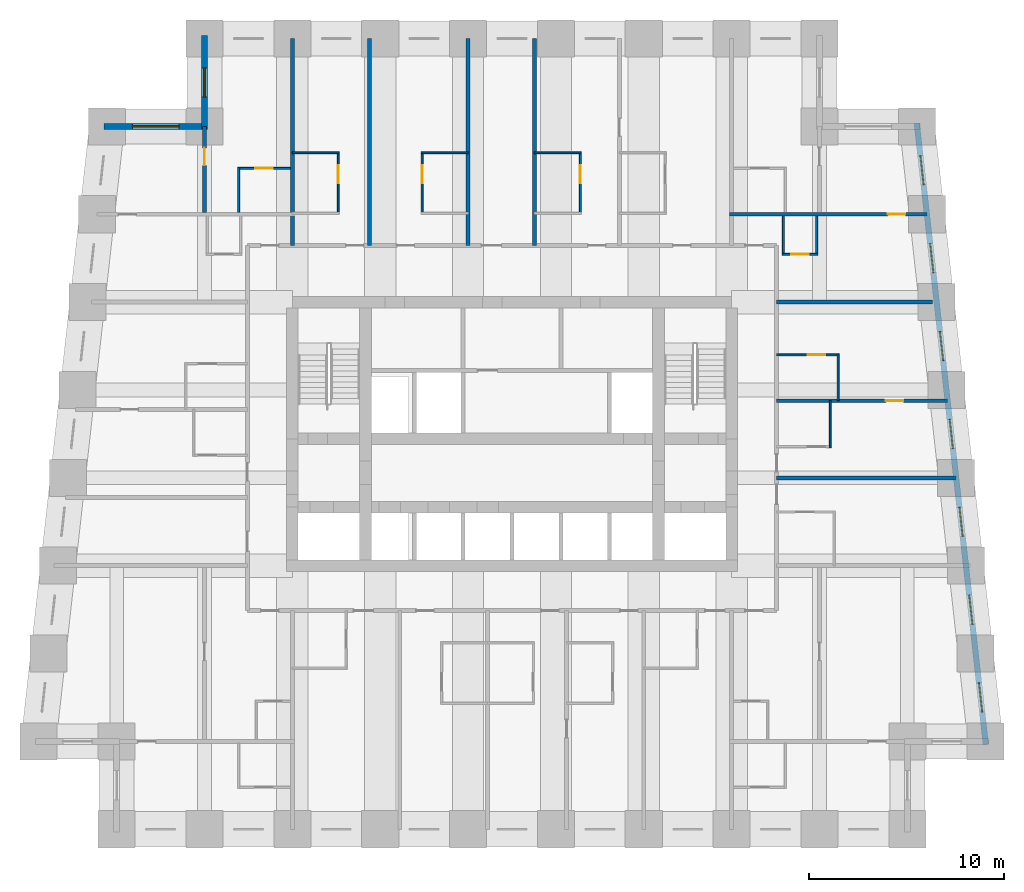
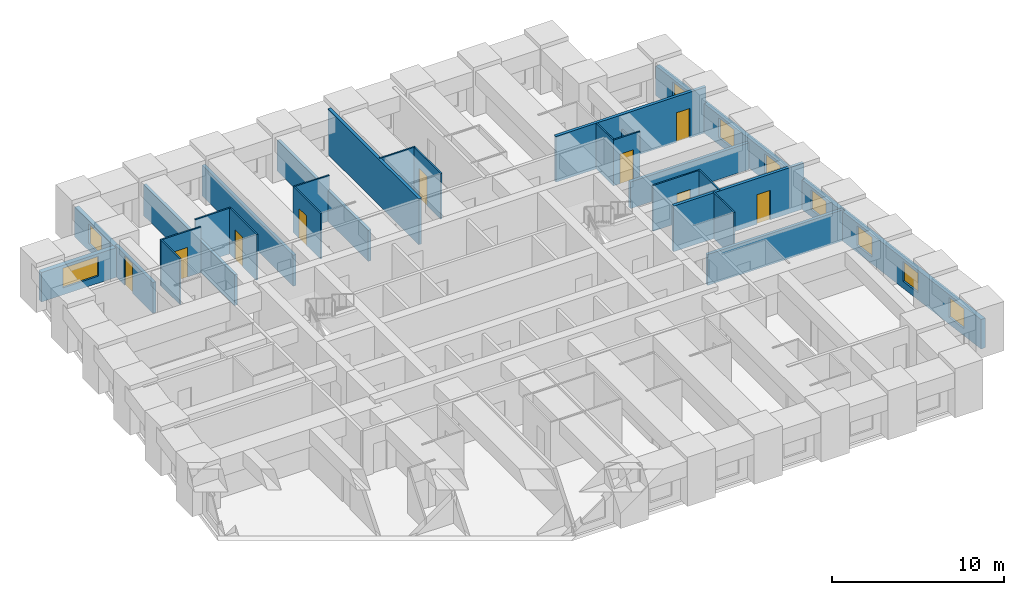
# One storey, part 6 of 8: 26 walls, 9 doors, 9 windows, 18 openings.
"""IFC4 building model written with IfcOpenShell, lengths in metres."""

from ifc_helpers import new_model, si_unit, direction, frame, frame_2d, origin, place, context, subcontext, project, spatial, rectangle, extrude, material, layer, layer_set, type_object, element, fill, save


model = new_model("IFC4")

# Units and contexts
model_context = context("Model", 3, precision=1e-05, world=origin(), true_north=direction((0.0, 1.0)))
body_context = subcontext(model_context, "Body", "Model", "MODEL_VIEW")
ifc_project = project(units=[si_unit("LENGTHUNIT", "METRE"), si_unit("AREAUNIT", "SQUARE_METRE"), si_unit("VOLUMEUNIT", "CUBIC_METRE"), si_unit("PLANEANGLEUNIT", "RADIAN"), si_unit("MASSUNIT", "GRAM", prefix="KILO")], contexts=[model_context])

# Site, building, storey
site_placement = place(None, origin())
site = spatial("IfcSite", under=ifc_project, at=site_placement, CompositionType="ELEMENT")
building_placement = place(site_placement, origin())
building = spatial("IfcBuilding", under=site, at=building_placement, Name="Kilele Tower Hotel", CompositionType="ELEMENT")
storey_placement = place(building_placement, frame((0.0, 0.0, 82.199951171875)))
storey = spatial("IfcBuildingStorey", under=building, at=storey_placement, Name="L20", CompositionType="ELEMENT", Elevation=82.199951171875)

# Walls
ifc_material_1 = material(Name="Moisture-resistant board")
ifc_layer_1 = layer(ifc_material_1, 0.10009765625)
ifc_layer_set_1 = layer_set([ifc_layer_1], Name="Moisture-resistant board")
wall_type_1 = type_object("IfcWallType", Name="Bathroom partition 100", PredefinedType="PLUMBINGWALL", material=ifc_layer_set_1)
wall_1_placement = place(storey_placement, frame((41.050048828125, 19.550048828125, 0.0), z_axis=(0.0, 0.0, 1.0), x_axis=(0.0, 1.0, 0.0)))
element("IfcWall", 1, at=wall_1_placement, inside=storey, type_object=wall_type_1, Name="Bathroom partition 100 L20", PredefinedType="PLUMBINGWALL", context=body_context, shape_type="SweptSolid", body=[
    extrude(rectangle(XDim=2.39990234375, YDim=0.10009765625, at=frame_2d((1.199951171875, 0.0))), origin(), (0.0, 0.0, 1.0), 3.25),
])
wall_2_placement = place(storey_placement, frame((41.449951171875, 21.949951171875, 0.0), z_axis=(0.0, 0.0, 1.0), x_axis=(0.0, 1.0, 0.0)))
element("IfcWall", 2, at=wall_2_placement, inside=storey, type_object=wall_type_1, Name="Bathroom partition 100 L20", PredefinedType="PLUMBINGWALL", context=body_context, shape_type="SweptSolid", body=[
    extrude(rectangle(XDim=2.400146484375, YDim=0.10009765625, at=frame_2d((1.2001953125, 0.0))), origin(), (0.0, 0.0, 1.0), 3.25),
])

# Wall, opening, door
wall_3_placement = place(storey_placement, frame((38.300048828125, 24.300048828125, 0.0), z_axis=(0.0, 0.0, 1.0), x_axis=(1.0, 0.0, 0.0)))
wall_3 = element("IfcWall", 3, at=wall_3_placement, inside=storey, type_object=wall_type_1, Name="Bathroom partition 100 L20", PredefinedType="PLUMBINGWALL", context=body_context, shape_type="SweptSolid", body=[
    extrude(rectangle(XDim=3.199951171875, YDim=0.10009765625, at=frame_2d((1.60009765625, 0.0))), origin(), (0.0, 0.0, 1.0), 3.25),
])
opening_1_placement = place(wall_3_placement, frame((1.60009765625, 0.0, 0.0)))
opening_1 = element("IfcOpeningElement", 4, at=opening_1_placement, cuts=wall_3, Name="Opening D2A", PredefinedType="OPENING", context=body_context, shape_type="SweptSolid", body=[
    extrude(rectangle(XDim=0.89990234375, YDim=2.10009765625, at=frame_2d((0.449951171875, 1.050048828125))), frame((0.0, 0.06005859375, 0.0), z_axis=(0.0, -1.0, 0.0), x_axis=(1.0, 0.0, 0.0)), (0.0, 0.0, 1.0), 0.1201171875),
])
ifc_material_2 = material(Name="Timber door leaf in hardwood frame", Category="wood")
door_type_1 = type_object("IfcDoorType", Name="Bathroom door 900", OperationType="SINGLE_SWING_LEFT", PredefinedType="DOOR", material=ifc_material_2)
door_1_placement = place(opening_1_placement, origin())
door_1 = element("IfcDoor", 5, at=door_1_placement, inside=storey, type_object=door_type_1, Name="Bathroom door 2008B", OperationType="SINGLE_SWING_LEFT", OverallHeight=2.10009765625, OverallWidth=0.89990234375, PredefinedType="DOOR", context=body_context, shape_type="SweptSolid", body=[
    extrude(rectangle(XDim=0.89990234375, YDim=2.10009765625, at=frame_2d((0.449951171875, 1.050048828125))), frame((0.0, 0.02490234375, 0.0), z_axis=(0.0, -1.0, 0.0), x_axis=(1.0, 0.0, 0.0)), (0.0, 0.0, 1.0), 0.050048828125),
])
fill(opening_1, door_1)

# Wall
wall_4_placement = place(storey_placement, frame((13.5, 34.64990234375, 0.0), z_axis=(0.0, 0.0, 1.0), x_axis=(1.0, 0.0, 0.0)))
element("IfcWall", 6, at=wall_4_placement, inside=storey, type_object=wall_type_1, Name="Bathroom partition 100 L20", PredefinedType="PLUMBINGWALL", context=body_context, shape_type="SweptSolid", body=[
    extrude(rectangle(XDim=2.39990234375, YDim=0.10009765625, at=frame_2d((1.199951171875, 0.0))), origin(), (0.0, 0.0, 1.0), 3.25),
])

# Wall, opening, door
wall_5_placement = place(storey_placement, frame((15.85009765625, 31.5, 0.0), z_axis=(0.0, 0.0, 1.0), x_axis=(0.0, 1.0, 0.0)))
wall_5 = element("IfcWall", 7, at=wall_5_placement, inside=storey, type_object=wall_type_1, Name="Bathroom partition 100 L20", PredefinedType="PLUMBINGWALL", context=body_context, shape_type="SweptSolid", body=[
    extrude(rectangle(XDim=3.199951171875, YDim=0.10009765625, at=frame_2d((1.60009765625, 0.0))), origin(), (0.0, 0.0, 1.0), 3.25),
])
opening_2_placement = place(wall_5_placement, frame((2.5, 0.0, 0.0), z_axis=(0.0, 0.0, 1.0), x_axis=(-1.0, 0.0, 0.0)))
opening_2 = element("IfcOpeningElement", 8, at=opening_2_placement, cuts=wall_5, Name="Opening D2A", PredefinedType="OPENING", context=body_context, shape_type="SweptSolid", body=[
    extrude(rectangle(XDim=0.89990234375, YDim=2.10009765625, at=frame_2d((0.449951171875, 1.050048828125))), frame((0.0, 0.06005859375, 0.0), z_axis=(0.0, -1.0, 0.0), x_axis=(1.0, 0.0, 0.0)), (0.0, 0.0, 1.0), 0.1201171875),
])
door_2_placement = place(opening_2_placement, origin())
door_2 = element("IfcDoor", 9, at=door_2_placement, inside=storey, type_object=door_type_1, Name="Bathroom door 2009B", OperationType="SINGLE_SWING_LEFT", OverallHeight=2.10009765625, OverallWidth=0.89990234375, PredefinedType="DOOR", context=body_context, shape_type="SweptSolid", body=[
    extrude(rectangle(XDim=0.89990234375, YDim=2.10009765625, at=frame_2d((0.449951171875, 1.050048828125))), frame((0.0, 0.02490234375, 0.0), z_axis=(0.0, -1.0, 0.0), x_axis=(1.0, 0.0, 0.0)), (0.0, 0.0, 1.0), 0.050048828125),
])
fill(opening_2, door_2)

# Wall
wall_6_placement = place(storey_placement, frame((20.10009765625, 34.64990234375, 0.0), z_axis=(0.0, 0.0, 1.0), x_axis=(1.0, 0.0, 0.0)))
element("IfcWall", 10, at=wall_6_placement, inside=storey, type_object=wall_type_1, Name="Bathroom partition 100 L20", PredefinedType="PLUMBINGWALL", context=body_context, shape_type="SweptSolid", body=[
    extrude(rectangle(XDim=2.39990234375, YDim=0.10009765625, at=frame_2d((1.199951171875, 0.0))), origin(), (0.0, 0.0, 1.0), 3.25),
])

# Wall, opening, door
wall_7_placement = place(storey_placement, frame((20.14990234375, 31.5, 0.0), z_axis=(0.0, 0.0, 1.0), x_axis=(0.0, 1.0, 0.0)))
wall_7 = element("IfcWall", 11, at=wall_7_placement, inside=storey, type_object=wall_type_1, Name="Bathroom partition 100 L20", PredefinedType="PLUMBINGWALL", context=body_context, shape_type="SweptSolid", body=[
    extrude(rectangle(XDim=3.199951171875, YDim=0.10009765625, at=frame_2d((1.60009765625, 0.0))), origin(), (0.0, 0.0, 1.0), 3.25),
])
opening_3_placement = place(wall_7_placement, frame((1.60009765625, 0.0, 0.0)))
opening_3 = element("IfcOpeningElement", 12, at=opening_3_placement, cuts=wall_7, Name="Opening D2A", PredefinedType="OPENING", context=body_context, shape_type="SweptSolid", body=[
    extrude(rectangle(XDim=0.89990234375, YDim=2.10009765625, at=frame_2d((0.449951171875, 1.050048828125))), frame((0.0, 0.06005859375, 0.0), z_axis=(0.0, -1.0, 0.0), x_axis=(1.0, 0.0, 0.0)), (0.0, 0.0, 1.0), 0.1201171875),
])
door_3_placement = place(opening_3_placement, origin())
door_3 = element("IfcDoor", 13, at=door_3_placement, inside=storey, type_object=door_type_1, Name="Bathroom door 2010B", OperationType="SINGLE_SWING_RIGHT", OverallHeight=2.10009765625, OverallWidth=0.89990234375, PredefinedType="DOOR", context=body_context, shape_type="SweptSolid", body=[
    extrude(rectangle(XDim=0.89990234375, YDim=2.10009765625, at=frame_2d((0.449951171875, 1.050048828125))), frame((0.0, 0.02490234375, 0.0), z_axis=(0.0, -1.0, 0.0), x_axis=(1.0, 0.0, 0.0)), (0.0, 0.0, 1.0), 0.050048828125),
])
fill(opening_3, door_3)

# Wall
wall_8_placement = place(storey_placement, frame((25.89990234375, 34.64990234375, 0.0), z_axis=(0.0, 0.0, 1.0), x_axis=(1.0, 0.0, 0.0)))
element("IfcWall", 14, at=wall_8_placement, inside=storey, type_object=wall_type_1, Name="Bathroom partition 100 L20", PredefinedType="PLUMBINGWALL", context=body_context, shape_type="SweptSolid", body=[
    extrude(rectangle(XDim=2.400146484375, YDim=0.10009765625, at=frame_2d((1.2001953125, 0.0))), origin(), (0.0, 0.0, 1.0), 3.25),
])

# Wall, opening, door
wall_9_placement = place(storey_placement, frame((28.25, 31.5, 0.0), z_axis=(0.0, 0.0, 1.0), x_axis=(0.0, 1.0, 0.0)))
wall_9 = element("IfcWall", 15, at=wall_9_placement, inside=storey, type_object=wall_type_1, Name="Bathroom partition 100 L20", PredefinedType="PLUMBINGWALL", context=body_context, shape_type="SweptSolid", body=[
    extrude(rectangle(XDim=3.199951171875, YDim=0.10009765625, at=frame_2d((1.60009765625, 0.0))), origin(), (0.0, 0.0, 1.0), 3.25),
])
opening_4_placement = place(wall_9_placement, frame((2.5, 0.0, 0.0), z_axis=(0.0, 0.0, 1.0), x_axis=(-1.0, 0.0, 0.0)))
opening_4 = element("IfcOpeningElement", 16, at=opening_4_placement, cuts=wall_9, Name="Opening D2A", PredefinedType="OPENING", context=body_context, shape_type="SweptSolid", body=[
    extrude(rectangle(XDim=0.89990234375, YDim=2.10009765625, at=frame_2d((0.449951171875, 1.050048828125))), frame((0.0, 0.06005859375, 0.0), z_axis=(0.0, -1.0, 0.0), x_axis=(1.0, 0.0, 0.0)), (0.0, 0.0, 1.0), 0.1201171875),
])
door_4_placement = place(opening_4_placement, origin())
door_4 = element("IfcDoor", 17, at=door_4_placement, inside=storey, type_object=door_type_1, Name="Bathroom door 2012B", OperationType="SINGLE_SWING_LEFT", OverallHeight=2.10009765625, OverallWidth=0.89990234375, PredefinedType="DOOR", context=body_context, shape_type="SweptSolid", body=[
    extrude(rectangle(XDim=0.89990234375, YDim=2.10009765625, at=frame_2d((0.449951171875, 1.050048828125))), frame((0.0, 0.02490234375, 0.0), z_axis=(0.0, -1.0, 0.0), x_axis=(1.0, 0.0, 0.0)), (0.0, 0.0, 1.0), 0.050048828125),
])
fill(opening_4, door_4)

# Walls
wall_10_placement = place(storey_placement, frame((40.35009765625, 31.39990234375, 0.0), z_axis=(0.0, 0.0, 1.0), x_axis=(0.0, -1.0, 0.0)))
element("IfcWall", 18, at=wall_10_placement, inside=storey, type_object=wall_type_1, Name="Bathroom partition 100 L20", PredefinedType="PLUMBINGWALL", context=body_context, shape_type="SweptSolid", body=[
    extrude(rectangle(XDim=2.0, YDim=0.10009765625, at=frame_2d((1.0, 0.0))), origin(), (0.0, 0.0, 1.0), 2.199951171875),
])
wall_11_placement = place(storey_placement, frame((38.64990234375, 31.39990234375, 0.0), z_axis=(0.0, 0.0, 1.0), x_axis=(0.0, -1.0, 0.0)))
element("IfcWall", 19, at=wall_11_placement, inside=storey, type_object=wall_type_1, Name="Bathroom partition 100 L20", PredefinedType="PLUMBINGWALL", context=body_context, shape_type="SweptSolid", body=[
    extrude(rectangle(XDim=2.0, YDim=0.10009765625, at=frame_2d((1.0, 0.0))), origin(), (0.0, 0.0, 1.0), 3.25),
])

# Wall, opening, door
wall_12_placement = place(storey_placement, frame((38.60009765625, 29.449951171875, 0.0), z_axis=(0.0, 0.0, 1.0), x_axis=(1.0, 0.0, 0.0)))
wall_12 = element("IfcWall", 20, at=wall_12_placement, inside=storey, type_object=wall_type_1, Name="Bathroom partition 100 L20", PredefinedType="PLUMBINGWALL", context=body_context, shape_type="SweptSolid", body=[
    extrude(rectangle(XDim=1.7998046875, YDim=0.10009765625, at=frame_2d((0.89990234375, 0.0))), origin(), (0.0, 0.0, 1.0), 3.25),
])
opening_5_placement = place(wall_12_placement, frame((1.349853515625, 0.0, 0.0), z_axis=(0.0, 0.0, 1.0), x_axis=(-1.0, 0.0, 0.0)))
opening_5 = element("IfcOpeningElement", 21, at=opening_5_placement, cuts=wall_12, Name="Opening D2A", PredefinedType="OPENING", context=body_context, shape_type="SweptSolid", body=[
    extrude(rectangle(XDim=0.89990234375, YDim=2.10009765625, at=frame_2d((0.449951171875, 1.050048828125))), frame((0.0, 0.06005859375, 0.0), z_axis=(0.0, -1.0, 0.0), x_axis=(1.0, 0.0, 0.0)), (0.0, 0.0, 1.0), 0.1201171875),
])
door_5_placement = place(opening_5_placement, origin())
door_5 = element("IfcDoor", 22, at=door_5_placement, inside=storey, type_object=door_type_1, Name="Bathroom door 2023P", OperationType="SINGLE_SWING_RIGHT", OverallHeight=2.10009765625, OverallWidth=0.89990234375, PredefinedType="DOOR", context=body_context, shape_type="SweptSolid", body=[
    extrude(rectangle(XDim=0.89990234375, YDim=2.10009765625, at=frame_2d((0.449951171875, 1.050048828125))), frame((0.0, 0.02490234375, 0.0), z_axis=(0.0, -1.0, 0.0), x_axis=(1.0, 0.0, 0.0)), (0.0, 0.0, 1.0), 0.050048828125),
])
fill(opening_5, door_5)

# Wall
wall_13_placement = place(storey_placement, frame((10.75, 31.60009765625, 0.0), z_axis=(0.0, 0.0, 1.0), x_axis=(0.0, 1.0, 0.0)))
element("IfcWall", 23, at=wall_13_placement, inside=storey, type_object=wall_type_1, Name="Bathroom partition 100 L20", PredefinedType="PLUMBINGWALL", context=body_context, shape_type="SweptSolid", body=[
    extrude(rectangle(XDim=2.2998046875, YDim=0.10009765625, at=frame_2d((1.14990234375, 0.0))), origin(), (0.0, 0.0, 1.0), 3.25),
])

# Wall, opening, door
wall_14_placement = place(storey_placement, frame((13.39990234375, 33.85009765625, 0.0), z_axis=(0.0, 0.0, 1.0), x_axis=(-1.0, 0.0, 0.0)))
wall_14 = element("IfcWall", 24, at=wall_14_placement, inside=storey, type_object=wall_type_1, Name="Bathroom partition 100 L20", PredefinedType="PLUMBINGWALL", context=body_context, shape_type="SweptSolid", body=[
    extrude(rectangle(XDim=2.699951171875, YDim=0.10009765625, at=frame_2d((1.35009765625, 0.0))), origin(), (0.0, 0.0, 1.0), 3.25),
])
opening_6_placement = place(wall_14_placement, frame((1.7998046875, 0.0, 0.0), z_axis=(0.0, 0.0, 1.0), x_axis=(-1.0, 0.0, 0.0)))
opening_6 = element("IfcOpeningElement", 25, at=opening_6_placement, cuts=wall_14, Name="Opening D2A", PredefinedType="OPENING", context=body_context, shape_type="SweptSolid", body=[
    extrude(rectangle(XDim=0.89990234375, YDim=2.10009765625, at=frame_2d((0.449951171875, 1.050048828125))), frame((0.0, 0.06005859375, 0.0), z_axis=(0.0, -1.0, 0.0), x_axis=(1.0, 0.0, 0.0)), (0.0, 0.0, 1.0), 0.1201171875),
])
door_6_placement = place(opening_6_placement, origin())
door_6 = element("IfcDoor", 26, at=door_6_placement, inside=storey, type_object=door_type_1, Name="Bathroom door 2027B", OperationType="SINGLE_SWING_RIGHT", OverallHeight=2.10009765625, OverallWidth=0.89990234375, PredefinedType="DOOR", context=body_context, shape_type="SweptSolid", body=[
    extrude(rectangle(XDim=0.89990234375, YDim=2.10009765625, at=frame_2d((0.449951171875, 1.050048828125))), frame((0.0, 0.02490234375, 0.0), z_axis=(0.0, -1.0, 0.0), x_axis=(1.0, 0.0, 0.0)), (0.0, 0.0, 1.0), 0.050048828125),
])
fill(opening_6, door_6)

ifc_material_3 = material(Name="Blockwork, plastered both sides", Category="masonry")
ifc_layer_2 = layer(ifc_material_3, 0.199951171875)
ifc_layer_set_2 = layer_set([ifc_layer_2], Name="Blockwork, plastered both sides")
wall_type_2 = type_object("IfcWallType", Name="Partition wall 200", PredefinedType="PARTITIONING", material=ifc_layer_set_2)
wall_15_placement = place(storey_placement, frame((9.0, 31.60009765625, 0.0), z_axis=(0.0, 0.0, 1.0), x_axis=(0.0, 1.0, 0.0)))
wall_15 = element("IfcWall", 27, at=wall_15_placement, inside=storey, type_object=wall_type_2, Name="Partition wall 200 L20", PredefinedType="PARTITIONING", context=body_context, shape_type="SweptSolid", body=[
    extrude(rectangle(XDim=4.39990234375, YDim=0.199951171875, at=frame_2d((2.199951171875, 0.0))), origin(), (0.0, 0.0, 1.0), 2.199951171875),
])
opening_7_placement = place(wall_15_placement, frame((2.39990234375, 0.0, 0.0)))
opening_7 = element("IfcOpeningElement", 28, at=opening_7_placement, cuts=wall_15, Name="Opening D3", PredefinedType="OPENING", context=body_context, shape_type="SweptSolid", body=[
    extrude(rectangle(XDim=0.89990234375, YDim=2.10009765625, at=frame_2d((0.449951171875, 1.050048828125))), frame((0.0, 0.10986328125, 0.0), z_axis=(0.0, -1.0, 0.0), x_axis=(1.0, 0.0, 0.0)), (0.0, 0.0, 1.0), 0.219970703125),
])
ifc_material_4 = material(Name="Timber door leaf in hardwood frame", Category="wood")
door_type_2 = type_object("IfcDoorType", Name="Suite internal door 900", OperationType="SINGLE_SWING_LEFT", PredefinedType="DOOR", material=ifc_material_4)
door_7_placement = place(opening_7_placement, origin())
door_7 = element("IfcDoor", 29, at=door_7_placement, inside=storey, type_object=door_type_2, Name="Suite door 2028", OperationType="SINGLE_SWING_RIGHT", OverallHeight=2.10009765625, OverallWidth=0.89990234375, PredefinedType="DOOR", context=body_context, shape_type="SweptSolid", body=[
    extrude(rectangle(XDim=0.89990234375, YDim=2.10009765625, at=frame_2d((0.449951171875, 1.050048828125))), frame((0.0, 0.02490234375, 0.0), z_axis=(0.0, -1.0, 0.0), x_axis=(1.0, 0.0, 0.0)), (0.0, 0.0, 1.0), 0.050048828125),
])
fill(opening_7, door_7)

# Wall
ifc_material_5 = material(Name="Blockwork, plastered both sides", Category="masonry")
ifc_layer_3 = layer(ifc_material_5, 0.199951171875)
ifc_layer_set_3 = layer_set([ifc_layer_3], Name="Blockwork, plastered both sides")
wall_type_3 = type_object("IfcWallType", Name="Party wall 200", PredefinedType="PARTITIONING", material=ifc_layer_set_3)
wall_16_placement = place(storey_placement, frame((38.300048828125, 18.0, 0.0), z_axis=(0.0, 0.0, 1.0), x_axis=(1.0, 0.0, 0.0)))
element("IfcWall", 30, at=wall_16_placement, inside=storey, type_object=wall_type_3, Name="Party wall 200 L20", PredefinedType="PARTITIONING", context=body_context, shape_type="SweptSolid", body=[
    extrude(rectangle(XDim=9.198974609375, YDim=0.199951171875, at=frame_2d((4.599609375, 0.0))), origin(), (0.0, 0.0, 1.0), 2.199951171875),
])

# Wall, opening, door
wall_17_placement = place(storey_placement, frame((38.300048828125, 21.949951171875, 0.0), z_axis=(0.0, 0.0, 1.0), x_axis=(1.0, 0.0, 0.0)))
wall_17 = element("IfcWall", 31, at=wall_17_placement, inside=storey, type_object=wall_type_3, Name="Party wall 200 L20", PredefinedType="PARTITIONING", context=body_context, shape_type="SweptSolid", body=[
    extrude(rectangle(XDim=8.76025390625, YDim=0.199951171875, at=frame_2d((4.380126953125, 0.0))), origin(), (0.0, 0.0, 1.0), 3.25),
])
opening_8_placement = place(wall_17_placement, frame((5.60009765625, 0.0, 0.0)))
opening_8 = element("IfcOpeningElement", 32, at=opening_8_placement, cuts=wall_17, Name="Opening D3", PredefinedType="OPENING", context=body_context, shape_type="SweptSolid", body=[
    extrude(rectangle(XDim=0.89990234375, YDim=2.10009765625, at=frame_2d((0.449951171875, 1.050048828125))), frame((0.0, 0.10986328125, 0.0), z_axis=(0.0, -1.0, 0.0), x_axis=(1.0, 0.0, 0.0)), (0.0, 0.0, 1.0), 0.219970703125),
])
door_8_placement = place(opening_8_placement, origin())
door_8 = element("IfcDoor", 33, at=door_8_placement, inside=storey, type_object=door_type_2, Name="Suite door 2008", OperationType="SINGLE_SWING_RIGHT", OverallHeight=2.10009765625, OverallWidth=0.89990234375, PredefinedType="DOOR", context=body_context, shape_type="SweptSolid", body=[
    extrude(rectangle(XDim=0.89990234375, YDim=2.10009765625, at=frame_2d((0.449951171875, 1.050048828125))), frame((0.0, 0.02490234375, 0.0), z_axis=(0.0, -1.0, 0.0), x_axis=(1.0, 0.0, 0.0)), (0.0, 0.0, 1.0), 0.050048828125),
])
fill(opening_8, door_8)

# Walls
for number, where, z_axis, x_axis, name in (
    (34, (17.449951171875, 29.89990234375, 0.0), (0.0, 0.0, 1.0), (0.0, 1.0, 0.0), "Party wall 200 L20"),
    (35, (22.5, 29.89990234375, 0.0), (0.0, 0.0, 1.0), (0.0, 1.0, 0.0), "Party wall 200 L20"),
):
    element("IfcWall", number, at=place(storey_placement, frame(where, z_axis=z_axis, x_axis=x_axis)), inside=storey, type_object=wall_type_3, Name=name, PredefinedType="PARTITIONING", context=body_context, shape_type="SweptSolid", body=[
        extrude(rectangle(XDim=10.60009765625, YDim=0.199951171875, at=frame_2d((5.300048828125, 0.0))), origin(), (0.0, 0.0, 1.0), 2.199951171875),
    ])
wall_18_placement = place(storey_placement, frame((25.89990234375, 29.89990234375, 0.0), z_axis=(0.0, 0.0, 1.0), x_axis=(0.0, 1.0, 0.0)))
element("IfcWall", 36, at=wall_18_placement, inside=storey, type_object=wall_type_3, Name="Party wall 200 L20", PredefinedType="PARTITIONING", context=body_context, shape_type="SweptSolid", body=[
    extrude(rectangle(XDim=10.60009765625, YDim=0.199951171875, at=frame_2d((5.300048828125, 0.0))), origin(), (0.0, 0.0, 1.0), 3.25),
])
wall_19_placement = place(storey_placement, frame((38.300048828125, 27.0, 0.0), z_axis=(0.0, 0.0, 1.0), x_axis=(1.0, 0.0, 0.0)))
element("IfcWall", 37, at=wall_19_placement, inside=storey, type_object=wall_type_3, Name="Party wall 200 L20", PredefinedType="PARTITIONING", context=body_context, shape_type="SweptSolid", body=[
    extrude(rectangle(XDim=7.976806640625, YDim=0.199951171875, at=frame_2d((3.98828125, 0.0))), origin(), (0.0, 0.0, 1.0), 1.900146484375),
])

# Wall, opening, door
wall_20_placement = place(storey_placement, frame((35.89990234375, 31.5, 0.0), z_axis=(0.0, 0.0, 1.0), x_axis=(1.0, 0.0, 0.0)))
wall_20 = element("IfcWall", 38, at=wall_20_placement, inside=storey, type_object=wall_type_3, Name="Party wall 200 L20", PredefinedType="PARTITIONING", context=body_context, shape_type="SweptSolid", body=[
    extrude(rectangle(XDim=10.09912109375, YDim=0.199951171875, at=frame_2d((5.049560546875, 0.0))), origin(), (0.0, 0.0, 1.0), 3.25),
])
opening_9_placement = place(wall_20_placement, frame((8.09912109375, 0.0, 0.0)))
opening_9 = element("IfcOpeningElement", 39, at=opening_9_placement, cuts=wall_20, Name="Opening D3", PredefinedType="OPENING", context=body_context, shape_type="SweptSolid", body=[
    extrude(rectangle(XDim=0.89990234375, YDim=2.10009765625, at=frame_2d((0.449951171875, 1.050048828125))), frame((0.0, 0.10986328125, 0.0), z_axis=(0.0, -1.0, 0.0), x_axis=(1.0, 0.0, 0.0)), (0.0, 0.0, 1.0), 0.219970703125),
])
door_9_placement = place(opening_9_placement, origin())
door_9 = element("IfcDoor", 40, at=door_9_placement, inside=storey, type_object=door_type_2, Name="Suite door 2024", OperationType="SINGLE_SWING_RIGHT", OverallHeight=2.10009765625, OverallWidth=0.89990234375, PredefinedType="DOOR", context=body_context, shape_type="SweptSolid", body=[
    extrude(rectangle(XDim=0.89990234375, YDim=2.10009765625, at=frame_2d((0.449951171875, 1.050048828125))), frame((0.0, 0.02490234375, 0.0), z_axis=(0.0, -1.0, 0.0), x_axis=(1.0, 0.0, 0.0)), (0.0, 0.0, 1.0), 0.050048828125),
])
fill(opening_9, door_9)

# Wall
wall_21_placement = place(storey_placement, frame((13.5, 29.89990234375, 0.0), z_axis=(0.0, 0.0, 1.0), x_axis=(0.0, 1.0, 0.0)))
element("IfcWall", 41, at=wall_21_placement, inside=storey, type_object=wall_type_3, Name="Party wall 200 L20", PredefinedType="PARTITIONING", context=body_context, shape_type="SweptSolid", body=[
    extrude(rectangle(XDim=10.60009765625, YDim=0.199951171875, at=frame_2d((5.300048828125, 0.0))), origin(), (0.0, 0.0, 1.0), 2.199951171875),
])

# Wall, openings, windows
ifc_material_6 = material(Name="Concrete C40/50 precast", Category="concrete")
ifc_layer_4 = layer(ifc_material_6, 0.260009765625, Name="Precast backing", Category="LoadBearing")
ifc_material_7 = material(Name="Reconstituted stone finish", Category="masonry")
ifc_layer_5 = layer(ifc_material_7, 0.0400390625, Name="Face mix", Category="Finish")
ifc_layer_set_4 = layer_set([ifc_layer_4, ifc_layer_5], Name="Precast concrete C40/50, reconstituted stone finish")
wall_type_4 = type_object("IfcWallType", Name="Precast stone facade wall 300", PredefinedType="STANDARD", material=ifc_layer_set_4)
wall_22_placement = place(storey_placement, frame((49.0166015625, 4.350830078125, 0.0), z_axis=(0.0, 0.0, 1.0), x_axis=(-0.110433201132, 0.993883548555, 0.0)))
wall_22 = element("IfcWall", 42, at=wall_22_placement, inside=storey, type_object=wall_type_4, Name="Facade wall L20 edge 6", PredefinedType="STANDARD", context=body_context, shape_type="SweptSolid", body=[
    extrude(rectangle(XDim=31.994140625, YDim=0.300048828125, at=frame_2d((15.9970703125, 0.0))), origin(), (0.0, 0.0, 1.0), 2.10009765625),
])
opening_10_placement = place(wall_22_placement, frame((1.6640625, 0.0, 0.5)))
opening_10 = element("IfcOpeningElement", 43, at=opening_10_placement, cuts=wall_22, Name="Opening W1", PredefinedType="OPENING", context=body_context, shape_type="SweptSolid", body=[
    extrude(rectangle(XDim=1.5, YDim=1.39990234375, at=frame_2d((0.75, 0.699951171875))), frame((0.0, 0.159912109375, 0.0), z_axis=(0.0, -1.0, 0.0), x_axis=(1.0, 0.0, 0.0)), (0.0, 0.0, 1.0), 0.320068359375),
])
opening_11_placement = place(wall_22_placement, frame((6.19189453125, 0.0, 0.5)))
opening_11 = element("IfcOpeningElement", 44, at=opening_11_placement, cuts=wall_22, Name="Opening W1", PredefinedType="OPENING", context=body_context, shape_type="SweptSolid", body=[
    extrude(rectangle(XDim=1.5, YDim=1.39990234375, at=frame_2d((0.75, 0.699951171875))), frame((0.0, 0.159912109375, 0.0), z_axis=(0.0, -1.0, 0.0), x_axis=(1.0, 0.0, 0.0)), (0.0, 0.0, 1.0), 0.320068359375),
])
opening_12_placement = place(wall_22_placement, frame((10.718994140625, 0.0, 0.5)))
opening_12 = element("IfcOpeningElement", 45, at=opening_12_placement, cuts=wall_22, Name="Opening W1", PredefinedType="OPENING", context=body_context, shape_type="SweptSolid", body=[
    extrude(rectangle(XDim=1.5, YDim=1.39990234375, at=frame_2d((0.75, 0.699951171875))), frame((0.0, 0.159912109375, 0.0), z_axis=(0.0, -1.0, 0.0), x_axis=(1.0, 0.0, 0.0)), (0.0, 0.0, 1.0), 0.320068359375),
])
opening_13_placement = place(wall_22_placement, frame((15.2470703125, 0.0, 0.5)))
opening_13 = element("IfcOpeningElement", 46, at=opening_13_placement, cuts=wall_22, Name="Opening W1", PredefinedType="OPENING", context=body_context, shape_type="SweptSolid", body=[
    extrude(rectangle(XDim=1.5, YDim=1.39990234375, at=frame_2d((0.75, 0.699951171875))), frame((0.0, 0.159912109375, 0.0), z_axis=(0.0, -1.0, 0.0), x_axis=(1.0, 0.0, 0.0)), (0.0, 0.0, 1.0), 0.320068359375),
])
opening_14_placement = place(wall_22_placement, frame((19.77490234375, 0.0, 0.5)))
opening_14 = element("IfcOpeningElement", 47, at=opening_14_placement, cuts=wall_22, Name="Opening W1", PredefinedType="OPENING", context=body_context, shape_type="SweptSolid", body=[
    extrude(rectangle(XDim=1.5, YDim=1.39990234375, at=frame_2d((0.75, 0.699951171875))), frame((0.0, 0.159912109375, 0.0), z_axis=(0.0, -1.0, 0.0), x_axis=(1.0, 0.0, 0.0)), (0.0, 0.0, 1.0), 0.320068359375),
])
opening_15_placement = place(wall_22_placement, frame((24.302001953125, 0.0, 0.5)))
opening_15 = element("IfcOpeningElement", 48, at=opening_15_placement, cuts=wall_22, Name="Opening W1", PredefinedType="OPENING", context=body_context, shape_type="SweptSolid", body=[
    extrude(rectangle(XDim=1.5, YDim=1.39990234375, at=frame_2d((0.75, 0.699951171875))), frame((0.0, 0.159912109375, 0.0), z_axis=(0.0, -1.0, 0.0), x_axis=(1.0, 0.0, 0.0)), (0.0, 0.0, 1.0), 0.320068359375),
])
opening_16_placement = place(wall_22_placement, frame((28.830078125, 0.0, 0.5)))
opening_16 = element("IfcOpeningElement", 49, at=opening_16_placement, cuts=wall_22, Name="Opening W1", PredefinedType="OPENING", context=body_context, shape_type="SweptSolid", body=[
    extrude(rectangle(XDim=1.5, YDim=1.39990234375, at=frame_2d((0.75, 0.699951171875))), frame((0.0, 0.159912109375, 0.0), z_axis=(0.0, -1.0, 0.0), x_axis=(1.0, 0.0, 0.0)), (0.0, 0.0, 1.0), 0.320068359375),
])
ifc_material_8 = material(Name="Aluminium frame, clear double glazing", Category="aluminium")
window_type_1 = type_object("IfcWindowType", Name="Window W1 1500 x 1400", PartitioningType="SINGLE_PANEL", PredefinedType="WINDOW", material=ifc_material_8)
window_1_placement = place(opening_10_placement, origin())
window_1 = element("IfcWindow", 50, at=window_1_placement, inside=storey, type_object=window_type_1, Name="Window L20", OverallHeight=1.39990234375, OverallWidth=1.5, PartitioningType="SINGLE_PANEL", PredefinedType="WINDOW", context=body_context, shape_type="SweptSolid", body=[
    extrude(rectangle(XDim=1.5, YDim=1.39990234375, at=frame_2d((0.75, 0.699951171875))), frame((0.0, 0.030029296875, 0.0), z_axis=(0.0, -1.0, 0.0), x_axis=(1.0, 0.0, 0.0)), (0.0, 0.0, 1.0), 0.06005859375),
])
fill(opening_10, window_1)
window_2_placement = place(opening_11_placement, origin())
window_2 = element("IfcWindow", 51, at=window_2_placement, inside=storey, type_object=window_type_1, Name="Window L20", OverallHeight=1.39990234375, OverallWidth=1.5, PartitioningType="SINGLE_PANEL", PredefinedType="WINDOW", context=body_context, shape_type="SweptSolid", body=[
    extrude(rectangle(XDim=1.5, YDim=1.39990234375, at=frame_2d((0.75, 0.699951171875))), frame((0.0, 0.030029296875, 0.0), z_axis=(0.0, -1.0, 0.0), x_axis=(1.0, 0.0, 0.0)), (0.0, 0.0, 1.0), 0.06005859375),
])
fill(opening_11, window_2)
window_3_placement = place(opening_12_placement, origin())
window_3 = element("IfcWindow", 52, at=window_3_placement, inside=storey, type_object=window_type_1, Name="Window L20", OverallHeight=1.39990234375, OverallWidth=1.5, PartitioningType="SINGLE_PANEL", PredefinedType="WINDOW", context=body_context, shape_type="SweptSolid", body=[
    extrude(rectangle(XDim=1.5, YDim=1.39990234375, at=frame_2d((0.75, 0.699951171875))), frame((0.0, 0.030029296875, 0.0), z_axis=(0.0, -1.0, 0.0), x_axis=(1.0, 0.0, 0.0)), (0.0, 0.0, 1.0), 0.06005859375),
])
fill(opening_12, window_3)
window_4_placement = place(opening_13_placement, origin())
window_4 = element("IfcWindow", 53, at=window_4_placement, inside=storey, type_object=window_type_1, Name="Window L20", OverallHeight=1.39990234375, OverallWidth=1.5, PartitioningType="SINGLE_PANEL", PredefinedType="WINDOW", context=body_context, shape_type="SweptSolid", body=[
    extrude(rectangle(XDim=1.5, YDim=1.39990234375, at=frame_2d((0.75, 0.699951171875))), frame((0.0, 0.030029296875, 0.0), z_axis=(0.0, -1.0, 0.0), x_axis=(1.0, 0.0, 0.0)), (0.0, 0.0, 1.0), 0.06005859375),
])
fill(opening_13, window_4)
window_5_placement = place(opening_14_placement, origin())
window_5 = element("IfcWindow", 54, at=window_5_placement, inside=storey, type_object=window_type_1, Name="Window L20", OverallHeight=1.39990234375, OverallWidth=1.5, PartitioningType="SINGLE_PANEL", PredefinedType="WINDOW", context=body_context, shape_type="SweptSolid", body=[
    extrude(rectangle(XDim=1.5, YDim=1.39990234375, at=frame_2d((0.75, 0.699951171875))), frame((0.0, 0.030029296875, 0.0), z_axis=(0.0, -1.0, 0.0), x_axis=(1.0, 0.0, 0.0)), (0.0, 0.0, 1.0), 0.06005859375),
])
fill(opening_14, window_5)
window_6_placement = place(opening_15_placement, origin())
window_6 = element("IfcWindow", 55, at=window_6_placement, inside=storey, type_object=window_type_1, Name="Window L20", OverallHeight=1.39990234375, OverallWidth=1.5, PartitioningType="SINGLE_PANEL", PredefinedType="WINDOW", context=body_context, shape_type="SweptSolid", body=[
    extrude(rectangle(XDim=1.5, YDim=1.39990234375, at=frame_2d((0.75, 0.699951171875))), frame((0.0, 0.030029296875, 0.0), z_axis=(0.0, -1.0, 0.0), x_axis=(1.0, 0.0, 0.0)), (0.0, 0.0, 1.0), 0.06005859375),
])
fill(opening_15, window_6)
window_7_placement = place(opening_16_placement, origin())
window_7 = element("IfcWindow", 56, at=window_7_placement, inside=storey, type_object=window_type_1, Name="Window L20", OverallHeight=1.39990234375, OverallWidth=1.5, PartitioningType="SINGLE_PANEL", PredefinedType="WINDOW", context=body_context, shape_type="SweptSolid", body=[
    extrude(rectangle(XDim=1.5, YDim=1.39990234375, at=frame_2d((0.75, 0.699951171875))), frame((0.0, 0.030029296875, 0.0), z_axis=(0.0, -1.0, 0.0), x_axis=(1.0, 0.0, 0.0)), (0.0, 0.0, 1.0), 0.06005859375),
])
fill(opening_16, window_7)

# Wall, opening, window
wall_23_placement = place(storey_placement, frame((9.0, 40.64990234375, 0.0), z_axis=(0.0, 0.0, 1.0), x_axis=(0.0, -1.0, 0.0)))
wall_23 = element("IfcWall", 57, at=wall_23_placement, inside=storey, type_object=wall_type_4, Name="Facade wall L20 edge 10", PredefinedType="STANDARD", context=body_context, shape_type="SweptSolid", body=[
    extrude(rectangle(XDim=4.7998046875, YDim=0.300048828125, at=frame_2d((2.39990234375, 0.0))), origin(), (0.0, 0.0, 1.0), 2.10009765625),
])
opening_17_placement = place(wall_23_placement, frame((1.64990234375, 0.0, 0.5)))
opening_17 = element("IfcOpeningElement", 58, at=opening_17_placement, cuts=wall_23, Name="Opening W1", PredefinedType="OPENING", context=body_context, shape_type="SweptSolid", body=[
    extrude(rectangle(XDim=1.5, YDim=1.39990234375, at=frame_2d((0.75, 0.699951171875))), frame((0.0, 0.159912109375, 0.0), z_axis=(0.0, -1.0, 0.0), x_axis=(1.0, 0.0, 0.0)), (0.0, 0.0, 1.0), 0.320068359375),
])
window_8_placement = place(opening_17_placement, origin())
window_8 = element("IfcWindow", 59, at=window_8_placement, inside=storey, type_object=window_type_1, Name="Window L20", OverallHeight=1.39990234375, OverallWidth=1.5, PartitioningType="SINGLE_PANEL", PredefinedType="WINDOW", context=body_context, shape_type="SweptSolid", body=[
    extrude(rectangle(XDim=1.5, YDim=1.39990234375, at=frame_2d((0.75, 0.699951171875))), frame((0.0, 0.030029296875, 0.0), z_axis=(0.0, -1.0, 0.0), x_axis=(1.0, 0.0, 0.0)), (0.0, 0.0, 1.0), 0.06005859375),
])
fill(opening_17, window_8)

wall_24_placement = place(storey_placement, frame((9.14990234375, 36.0, 0.0), z_axis=(0.0, 0.0, 1.0), x_axis=(-1.0, 0.0, 0.0)))
wall_24 = element("IfcWall", 60, at=wall_24_placement, inside=storey, type_object=wall_type_4, Name="Facade wall L20 edge 11", PredefinedType="STANDARD", context=body_context, shape_type="SweptSolid", body=[
    extrude(rectangle(XDim=5.2998046875, YDim=0.300048828125, at=frame_2d((2.64990234375, 0.0))), origin(), (0.0, 0.0, 1.0), 2.10009765625),
])
opening_18_placement = place(wall_24_placement, frame((1.449951171875, 0.0, 0.5)))
opening_18 = element("IfcOpeningElement", 61, at=opening_18_placement, cuts=wall_24, Name="Opening W1", PredefinedType="OPENING", context=body_context, shape_type="SweptSolid", body=[
    extrude(rectangle(XDim=2.39990234375, YDim=1.39990234375, at=frame_2d((1.199951171875, 0.699951171875))), frame((0.0, 0.159912109375, 0.0), z_axis=(0.0, -1.0, 0.0), x_axis=(1.0, 0.0, 0.0)), (0.0, 0.0, 1.0), 0.320068359375),
])
ifc_material_9 = material(Name="Aluminium frame, clear double glazing", Category="aluminium")
window_type_2 = type_object("IfcWindowType", Name="Window W1 2400 x 1400", PartitioningType="SINGLE_PANEL", PredefinedType="WINDOW", material=ifc_material_9)
window_9_placement = place(opening_18_placement, origin())
window_9 = element("IfcWindow", 62, at=window_9_placement, inside=storey, type_object=window_type_2, Name="Window L20", OverallHeight=1.39990234375, OverallWidth=2.39990234375, PartitioningType="SINGLE_PANEL", PredefinedType="WINDOW", context=body_context, shape_type="SweptSolid", body=[
    extrude(rectangle(XDim=2.39990234375, YDim=1.39990234375, at=frame_2d((1.199951171875, 0.699951171875))), frame((0.0, 0.030029296875, 0.0), z_axis=(0.0, -1.0, 0.0), x_axis=(1.0, 0.0, 0.0)), (0.0, 0.0, 1.0), 0.06005859375),
])
fill(opening_18, window_9)

save(model, "model.ifc")
